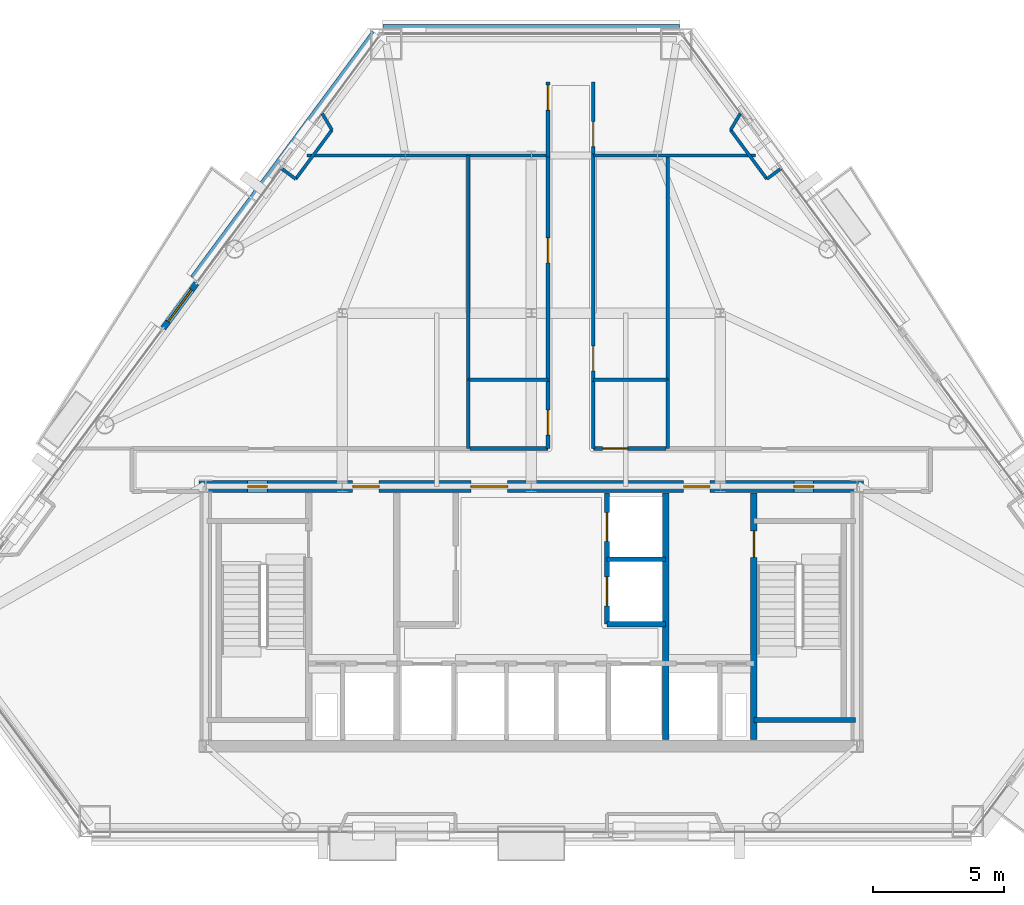
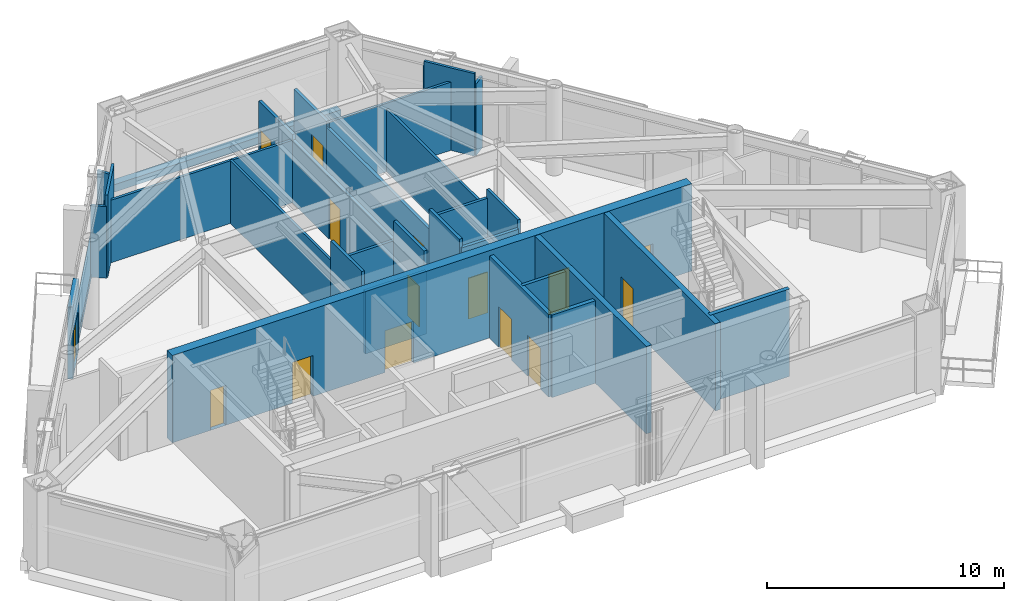
# One storey, part 8 of 11: 32 walls, 15 doors, 15 openings.
"""IFC4 building model written with IfcOpenShell, lengths in metres."""

from ifc_helpers import new_model, si_unit, direction, frame, frame_2d, origin, place, context, subcontext, project, spatial, rectangle, extrude, material, layer, layer_set, type_object, element, fill, save


model = new_model("IFC4")

# Units and contexts
model_context = context("Model", 3, precision=1e-05, world=origin(), true_north=direction((0.0, 1.0)))
body_context = subcontext(model_context, "Body", "Model", "MODEL_VIEW")
ifc_project = project(units=[si_unit("LENGTHUNIT", "METRE"), si_unit("AREAUNIT", "SQUARE_METRE"), si_unit("VOLUMEUNIT", "CUBIC_METRE"), si_unit("PLANEANGLEUNIT", "RADIAN"), si_unit("MASSUNIT", "GRAM", prefix="KILO")], contexts=[model_context])

# Site, building, storey
site_placement = place(None, origin())
site = spatial("IfcSite", under=ifc_project, at=site_placement, CompositionType="ELEMENT")
building_placement = place(site_placement, origin())
building = spatial("IfcBuilding", under=site, at=building_placement, Name="Talgorran Terracotta Tower", CompositionType="ELEMENT")
storey_placement = place(building_placement, frame((0.0, 0.0, 117.60009765625)))
storey = spatial("IfcBuildingStorey", under=building, at=storey_placement, Name="L30", CompositionType="ELEMENT", Elevation=117.60009765625)

# Wall, opening, door
ifc_material_1 = material(Name="Concrete C40/50", Category="concrete")
ifc_layer_1 = layer(ifc_material_1, 0.239990234375, Name="WT_BALCONY_SPAND")
ifc_layer_set_1 = layer_set([ifc_layer_1], Name="Concrete C40/50")
wall_type_1 = type_object("IfcWallType", Name="WT_BALCONY_SPAND", PredefinedType="STANDARD", material=ifc_layer_set_1)
wall_1_placement = place(storey_placement, frame((-12.7509765625, 3.541015625, -0.01513671875), z_axis=(0.0, 0.0, 1.0), x_axis=(-0.594638042479, -0.80399353134, 0.0)))
wall_1 = element("IfcWall", 1, at=wall_1_placement, inside=storey, type_object=wall_type_1, Name="WL-L30-BALP-BAL-NW", PredefinedType="STANDARD", context=body_context, shape_type="SweptSolid", body=[
    extrude(rectangle(XDim=2.139892578125, YDim=0.239990234375, at=frame_2d((1.06982421875, 0.0))), origin(), (0.0, 0.0, 1.0), 3.70703125),
])
opening_1_placement = place(wall_1_placement, frame((0.320068359375, 0.0, 0.014892578125)))
opening_1 = element("IfcOpeningElement", 2, at=opening_1_placement, cuts=wall_1, Name="Opening D-BAL-L30-2", PredefinedType="OPENING", context=body_context, shape_type="SweptSolid", body=[
    extrude(rectangle(XDim=1.506, YDim=2.203951171875, at=frame_2d((0.75, 1.10205078125))), frame((0.0, 0.1298828125, 0.0), z_axis=(0.0, -1.0, 0.0), x_axis=(1.0, 0.0, 0.0)), (0.0, 0.0, 1.0), 0.260009765625),
])
ifc_material_2 = material(Name="Thermally Broken Aluminium", Category="aluminium")
door_type_1 = type_object("IfcDoorType", Name="DT_BALC_1500", OperationType="SLIDING_TO_RIGHT", PredefinedType="DOOR", material=ifc_material_2)
door_1_placement = place(opening_1_placement, origin())
door_1 = element("IfcDoor", 3, at=door_1_placement, inside=storey, type_object=door_type_1, Name="DR-L30-BAL-BAL-NW", OperationType="SLIDING_TO_RIGHT", OverallHeight=2.199951171875, OverallWidth=1.5, PredefinedType="DOOR", context=body_context, shape_type="SweptSolid", body=[
    extrude(rectangle(XDim=1.5, YDim=2.199951171875, at=frame_2d((0.75, 1.10009765625))), frame((0.0, 0.02490234375, 0.0), z_axis=(0.0, -1.0, 0.0), x_axis=(1.0, 0.0, 0.0)), (0.0, 0.0, 1.0), 0.050048828125),
])
fill(opening_1, door_1)

# Wall
ifc_material_3 = material(Name="Concrete C50/60", Category="concrete")
ifc_layer_2 = layer(ifc_material_3, 0.199951171875, Name="WT_CORE_200")
ifc_layer_set_2 = layer_set([ifc_layer_2], Name="Concrete C50/60")
wall_type_2 = type_object("IfcWallType", Name="WT_CORE_200", PredefinedType="SOLIDWALL", material=ifc_layer_set_2)
wall_2_placement = place(storey_placement, frame((8.47998046875, -13.10009765625, 0.0), z_axis=(0.0, 0.0, 1.0), x_axis=(1.0, 0.0, 0.0)))
element("IfcWall", 4, at=wall_2_placement, inside=storey, type_object=wall_type_2, Name="WL-L30-CW-ST2-S", PredefinedType="SOLIDWALL", context=body_context, shape_type="SweptSolid", body=[
    extrude(rectangle(XDim=3.8701171875, YDim=0.199951171875, at=frame_2d((1.93505859375, 0.0))), origin(), (0.0, 0.0, 1.0), 4.5),
])

# Wall, openings, doors
wall_3_placement = place(storey_placement, frame((2.8798828125, -9.449951171875, 0.0), z_axis=(0.0, 0.0, 1.0), x_axis=(0.0, 1.0, 0.0)))
wall_3 = element("IfcWall", 5, at=wall_3_placement, inside=storey, type_object=wall_type_2, Name="WL-L30-CW-V-E3", PredefinedType="SOLIDWALL", context=body_context, shape_type="SweptSolid", body=[
    extrude(rectangle(XDim=5.0, YDim=0.199951171875, at=frame_2d((2.5, 0.0))), origin(), (0.0, 0.0, 1.0), 4.25),
])
opening_2_placement = place(wall_3_placement, frame((0.699951171875, 0.0, 0.0)))
opening_2 = element("IfcOpeningElement", 6, at=opening_2_placement, cuts=wall_3, Name="Opening LD-PLM1", PredefinedType="OPENING", context=body_context, shape_type="SweptSolid", body=[
    extrude(rectangle(XDim=1.10609765625, YDim=2.10409765625, at=frame_2d((0.550048828125, 1.052001953125))), frame((0.0, 0.10986328125, 0.0), z_axis=(0.0, -1.0, 0.0), x_axis=(1.0, 0.0, 0.0)), (0.0, 0.0, 1.0), 0.219970703125),
])
opening_3_placement = place(wall_3_placement, frame((3.14990234375, 0.0, 0.0)))
opening_3 = element("IfcOpeningElement", 7, at=opening_3_placement, cuts=wall_3, Name="Opening LD-PLM2", PredefinedType="OPENING", context=body_context, shape_type="SweptSolid", body=[
    extrude(rectangle(XDim=1.10609765625, YDim=2.10409765625, at=frame_2d((0.550048828125, 1.052001953125))), frame((0.0, 0.10986328125, 0.0), z_axis=(0.0, -1.0, 0.0), x_axis=(1.0, 0.0, 0.0)), (0.0, 0.0, 1.0), 0.219970703125),
])
ifc_material_4 = material(Name="Brushed Stainless Steel Grade 304", Category="steel")
door_type_2 = type_object("IfcDoorType", Name="DT_LIFT_LD1100", OperationType="DOUBLE_DOOR_SLIDING", PredefinedType="DOOR", material=ifc_material_4)
door_2_placement = place(opening_2_placement, origin())
door_2 = element("IfcDoor", 8, at=door_2_placement, inside=storey, type_object=door_type_2, Name="L30 Lift Landing Door LD-PLM1", OperationType="DOUBLE_DOOR_SLIDING", OverallHeight=2.10009765625, OverallWidth=1.10009765625, PredefinedType="DOOR", context=body_context, shape_type="SweptSolid", body=[
    extrude(rectangle(XDim=1.10009765625, YDim=2.10009765625, at=frame_2d((0.550048828125, 1.050048828125))), frame((0.0, 0.02490234375, 0.0), z_axis=(0.0, -1.0, 0.0), x_axis=(1.0, 0.0, 0.0)), (0.0, 0.0, 1.0), 0.050048828125),
])
fill(opening_2, door_2)
door_3_placement = place(opening_3_placement, origin())
door_3 = element("IfcDoor", 9, at=door_3_placement, inside=storey, type_object=door_type_2, Name="L30 Lift Landing Door LD-PLM2", OperationType="DOUBLE_DOOR_SLIDING", OverallHeight=2.10009765625, OverallWidth=1.10009765625, PredefinedType="DOOR", context=body_context, shape_type="SweptSolid", body=[
    extrude(rectangle(XDim=1.10009765625, YDim=2.10009765625, at=frame_2d((0.550048828125, 1.050048828125))), frame((0.0, 0.02490234375, 0.0), z_axis=(0.0, -1.0, 0.0), x_axis=(1.0, 0.0, 0.0)), (0.0, 0.0, 1.0), 0.050048828125),
])
fill(opening_3, door_3)

# Wall
wall_4_placement = place(storey_placement, frame((2.8798828125, -9.449951171875, 0.0), z_axis=(0.0, 0.0, 1.0), x_axis=(1.0, 0.0, 0.0)))
element("IfcWall", 10, at=wall_4_placement, inside=storey, type_object=wall_type_2, Name="WL-L30-CW-H-E4", PredefinedType="SOLIDWALL", context=body_context, shape_type="SweptSolid", body=[
    extrude(rectangle(XDim=2.240234375, YDim=0.199951171875, at=frame_2d((1.1201171875, 0.0))), origin(), (0.0, 0.0, 1.0), 4.25),
])

# Wall, opening, door
ifc_layer_3 = layer(ifc_material_3, 0.25, Name="WT_CORE_250")
ifc_layer_set_3 = layer_set([ifc_layer_3], Name="Concrete C50/60")
wall_type_3 = type_object("IfcWallType", Name="WT_CORE_250", PredefinedType="SHEAR", material=ifc_layer_set_3)
wall_5_placement = place(storey_placement, frame((8.47998046875, -13.85009765625, 0.0), z_axis=(0.0, 0.0, 1.0), x_axis=(0.0, 1.0, 0.0)))
wall_5 = element("IfcWall", 11, at=wall_5_placement, inside=storey, type_object=wall_type_3, Name="WL-L30-CW-V-E1", PredefinedType="SHEAR", context=body_context, shape_type="SweptSolid", body=[
    extrude(rectangle(XDim=9.400146484375, YDim=0.25, at=frame_2d((4.7001953125, 0.0))), origin(), (0.0, 0.0, 1.0), 4.5),
])
opening_4_placement = place(wall_5_placement, frame((6.949951171875, 0.0, 0.0)))
opening_4 = element("IfcOpeningElement", 12, at=opening_4_placement, cuts=wall_5, Name="Opening DR-ST02", PredefinedType="OPENING", context=body_context, shape_type="SweptSolid", body=[
    extrude(rectangle(XDim=1.006, YDim=2.10409765625, at=frame_2d((0.5, 1.052001953125))), frame((0.0, 0.135009765625, 0.0), z_axis=(0.0, -1.0, 0.0), x_axis=(1.0, 0.0, 0.0)), (0.0, 0.0, 1.0), 0.27001953125),
])
ifc_material_5 = material(Name="Fire-Rated Pressed Steel", Category="steel")
door_type_3 = type_object("IfcDoorType", Name="DT_FIRE_1000", OperationType="NOTDEFINED", PredefinedType="DOOR", material=ifc_material_5)
door_4_placement = place(opening_4_placement, origin())
door_4 = element("IfcDoor", 13, at=door_4_placement, inside=storey, type_object=door_type_3, Name="DR-ST02", OperationType="SINGLE_SWING_RIGHT", OverallHeight=2.10009765625, OverallWidth=1.0, PredefinedType="DOOR", context=body_context, shape_type="SweptSolid", body=[
    extrude(rectangle(XDim=1.0, YDim=2.10009765625, at=frame_2d((0.5, 1.050048828125))), frame((0.0, 0.02490234375, 0.0), z_axis=(0.0, -1.0, 0.0), x_axis=(1.0, 0.0, 0.0)), (0.0, 0.0, 1.0), 0.050048828125),
])
fill(opening_4, door_4)

# Wall
wall_6_placement = place(storey_placement, frame((5.1201171875, -13.85009765625, 0.0), z_axis=(0.0, 0.0, 1.0), x_axis=(0.0, 1.0, 0.0)))
element("IfcWall", 14, at=wall_6_placement, inside=storey, type_object=wall_type_3, Name="WL-L30-CW-V-E2", PredefinedType="SHEAR", context=body_context, shape_type="SweptSolid", body=[
    extrude(rectangle(XDim=9.400146484375, YDim=0.25, at=frame_2d((4.7001953125, 0.0))), origin(), (0.0, 0.0, 1.0), 4.5),
])

# Wall, openings, doors
ifc_material_6 = material(Name="Concrete C65/80", Category="concrete")
ifc_layer_4 = layer(ifc_material_6, 0.449951171875, Name="WT_CORE_EXT")
ifc_layer_set_4 = layer_set([ifc_layer_4], Name="Concrete C65/80")
wall_type_4 = type_object("IfcWallType", Name="WT_CORE_EXT", PredefinedType="SHEAR", material=ifc_layer_set_4)
wall_7_placement = place(storey_placement, frame((-12.64990234375, -4.199951171875, 0.0), z_axis=(0.0, 0.0, 1.0), x_axis=(1.0, 0.0, 0.0)))
wall_7 = element("IfcWall", 15, at=wall_7_placement, inside=storey, type_object=wall_type_4, Name="WL-L30-CW-OUT-N", PredefinedType="SHEAR", context=body_context, shape_type="SweptSolid", body=[
    extrude(rectangle(XDim=25.2998046875, YDim=0.449951171875, at=frame_2d((12.64990234375, 0.0))), origin(), (0.0, 0.0, 1.0), 4.5),
])
opening_5_placement = place(wall_7_placement, frame((1.85009765625, 0.0, 0.0)))
opening_5 = element("IfcOpeningElement", 16, at=opening_5_placement, cuts=wall_7, Name="Opening DR-CSN1", PredefinedType="OPENING", context=body_context, shape_type="SweptSolid", body=[
    extrude(rectangle(XDim=0.756, YDim=2.054048828125, at=frame_2d((0.375, 1.027099609375))), frame((0.0, 0.23486328125, 0.0), z_axis=(0.0, -1.0, 0.0), x_axis=(1.0, 0.0, 0.0)), (0.0, 0.0, 1.0), 0.469970703125),
])
opening_6_placement = place(wall_7_placement, frame((22.64990234375, 0.0, 0.0)))
opening_6 = element("IfcOpeningElement", 17, at=opening_6_placement, cuts=wall_7, Name="Opening DR-CSN2", PredefinedType="OPENING", context=body_context, shape_type="SweptSolid", body=[
    extrude(rectangle(XDim=0.756, YDim=2.054048828125, at=frame_2d((0.375, 1.027099609375))), frame((0.0, 0.23486328125, 0.0), z_axis=(0.0, -1.0, 0.0), x_axis=(1.0, 0.0, 0.0)), (0.0, 0.0, 1.0), 0.469970703125),
])
opening_7_placement = place(wall_7_placement, frame((5.85009765625, 0.0, 0.0)))
opening_7 = element("IfcOpeningElement", 18, at=opening_7_placement, cuts=wall_7, Name="Opening DR-FFLW-N", PredefinedType="OPENING", context=body_context, shape_type="SweptSolid", body=[
    extrude(rectangle(XDim=1.006, YDim=2.10409765625, at=frame_2d((0.5, 1.052001953125))), frame((0.0, 0.23486328125, 0.0), z_axis=(0.0, -1.0, 0.0), x_axis=(1.0, 0.0, 0.0)), (0.0, 0.0, 1.0), 0.469970703125),
])
opening_8_placement = place(wall_7_placement, frame((10.35009765625, 0.0, 0.0)))
opening_8 = element("IfcOpeningElement", 19, at=opening_8_placement, cuts=wall_7, Name="Opening DR-PLL-N", PredefinedType="OPENING", context=body_context, shape_type="SweptSolid", body=[
    extrude(rectangle(XDim=1.40590234375, YDim=2.15390234375, at=frame_2d((0.699951171875, 1.076904296875))), frame((0.0, 0.23486328125, 0.0), z_axis=(0.0, -1.0, 0.0), x_axis=(1.0, 0.0, 0.0)), (0.0, 0.0, 1.0), 0.469970703125),
])
opening_9_placement = place(wall_7_placement, frame((18.449951171875, 0.0, 0.0)))
opening_9 = element("IfcOpeningElement", 20, at=opening_9_placement, cuts=wall_7, Name="Opening DR-FFLE-N", PredefinedType="OPENING", context=body_context, shape_type="SweptSolid", body=[
    extrude(rectangle(XDim=1.006, YDim=2.10409765625, at=frame_2d((0.5, 1.052001953125))), frame((0.0, 0.23486328125, 0.0), z_axis=(0.0, -1.0, 0.0), x_axis=(1.0, 0.0, 0.0)), (0.0, 0.0, 1.0), 0.469970703125),
])
ifc_material_7 = material(Name="Acoustic Glazed Timber", Category="wood")
door_type_4 = type_object("IfcDoorType", Name="DT_DOUBLE_1400", OperationType="DOUBLE_DOOR_SINGLE_SWING", PredefinedType="DOOR", material=ifc_material_7)
door_5_placement = place(opening_8_placement, origin())
door_5 = element("IfcDoor", 21, at=door_5_placement, inside=storey, type_object=door_type_4, Name="DR-PLL-N", OperationType="DOUBLE_DOOR_SINGLE_SWING", OverallHeight=2.14990234375, OverallWidth=1.39990234375, PredefinedType="DOOR", context=body_context, shape_type="SweptSolid", body=[
    extrude(rectangle(XDim=1.39990234375, YDim=2.14990234375, at=frame_2d((0.699951171875, 1.074951171875))), frame((0.0, 0.02490234375, 0.0), z_axis=(0.0, -1.0, 0.0), x_axis=(1.0, 0.0, 0.0)), (0.0, 0.0, 1.0), 0.050048828125),
])
fill(opening_8, door_5)
door_6_placement = place(opening_7_placement, origin())
door_6 = element("IfcDoor", 22, at=door_6_placement, inside=storey, type_object=door_type_3, Name="DR-FFLW-N", OperationType="SINGLE_SWING_LEFT", OverallHeight=2.10009765625, OverallWidth=1.0, PredefinedType="DOOR", context=body_context, shape_type="SweptSolid", body=[
    extrude(rectangle(XDim=1.0, YDim=2.10009765625, at=frame_2d((0.5, 1.050048828125))), frame((0.0, 0.02490234375, 0.0), z_axis=(0.0, -1.0, 0.0), x_axis=(1.0, 0.0, 0.0)), (0.0, 0.0, 1.0), 0.050048828125),
])
fill(opening_7, door_6)
door_7_placement = place(opening_9_placement, origin())
door_7 = element("IfcDoor", 23, at=door_7_placement, inside=storey, type_object=door_type_3, Name="DR-FFLE-N", OperationType="SINGLE_SWING_RIGHT", OverallHeight=2.10009765625, OverallWidth=1.0, PredefinedType="DOOR", context=body_context, shape_type="SweptSolid", body=[
    extrude(rectangle(XDim=1.0, YDim=2.10009765625, at=frame_2d((0.5, 1.050048828125))), frame((0.0, 0.02490234375, 0.0), z_axis=(0.0, -1.0, 0.0), x_axis=(1.0, 0.0, 0.0)), (0.0, 0.0, 1.0), 0.050048828125),
])
fill(opening_9, door_7)
door_type_5 = type_object("IfcDoorType", Name="DT_RISER_750", OperationType="NOTDEFINED", PredefinedType="DOOR", material=ifc_material_5)
door_8_placement = place(opening_5_placement, origin())
door_8 = element("IfcDoor", 24, at=door_8_placement, inside=storey, type_object=door_type_5, Name="DR-CSN1", OperationType="SINGLE_SWING_LEFT", OverallHeight=2.050048828125, OverallWidth=0.75, PredefinedType="DOOR", context=body_context, shape_type="SweptSolid", body=[
    extrude(rectangle(XDim=0.75, YDim=2.050048828125, at=frame_2d((0.375, 1.02490234375))), frame((0.0, 0.02490234375, 0.0), z_axis=(0.0, -1.0, 0.0), x_axis=(1.0, 0.0, 0.0)), (0.0, 0.0, 1.0), 0.050048828125),
])
fill(opening_5, door_8)
door_9_placement = place(opening_6_placement, origin())
door_9 = element("IfcDoor", 25, at=door_9_placement, inside=storey, type_object=door_type_5, Name="DR-CSN2", OperationType="SINGLE_SWING_RIGHT", OverallHeight=2.050048828125, OverallWidth=0.75, PredefinedType="DOOR", context=body_context, shape_type="SweptSolid", body=[
    extrude(rectangle(XDim=0.75, YDim=2.050048828125, at=frame_2d((0.375, 1.02490234375))), frame((0.0, 0.02490234375, 0.0), z_axis=(0.0, -1.0, 0.0), x_axis=(1.0, 0.0, 0.0)), (0.0, 0.0, 1.0), 0.050048828125),
])
fill(opening_6, door_9)

# Wall, opening, door
ifc_material_8 = material(Name="Fire-Rated Steel Stud Plasterboard", Category="steel")
ifc_layer_5 = layer(ifc_material_8, 0.14990234375, Name="WT_FIRE_150")
ifc_layer_set_5 = layer_set([ifc_layer_5], Name="Fire-Rated Steel Stud Plasterboard")
wall_type_5 = type_object("IfcWallType", Name="WT_FIRE_150", PredefinedType="PARTITIONING", material=ifc_layer_set_5)
wall_8_placement = place(storey_placement, frame((0.639892578125, -0.199951171875, 0.0), z_axis=(0.0, 0.0, 1.0), x_axis=(0.0, 1.0, 0.0)))
wall_8 = element("IfcWall", 26, at=wall_8_placement, inside=storey, type_object=wall_type_5, Name="WL-L30-W-L30-R10", PredefinedType="PARTITIONING", context=body_context, shape_type="SweptSolid", body=[
    extrude(rectangle(XDim=8.659912109375, YDim=0.14990234375, at=frame_2d((4.330078125, 0.0))), origin(), (0.0, 0.0, 1.0), 3.224853515625),
])
opening_10_placement = place(wall_8_placement, frame((4.51416015625, 0.0, 0.0)))
opening_10 = element("IfcOpeningElement", 27, at=opening_10_placement, cuts=wall_8, Name="Opening DR-L30-R06", PredefinedType="OPENING", context=body_context, shape_type="SweptSolid", body=[
    extrude(rectangle(XDim=0.955951171875, YDim=2.10409765625, at=frame_2d((0.47509765625, 1.052001953125))), frame((0.0, 0.0849609375, 0.0), z_axis=(0.0, -1.0, 0.0), x_axis=(1.0, 0.0, 0.0)), (0.0, 0.0, 1.0), 0.169921875),
])
ifc_material_9 = material(Name="Fire-Rated Timber Core", Category="wood")
door_type_6 = type_object("IfcDoorType", Name="DT_FIRE_950", OperationType="NOTDEFINED", PredefinedType="DOOR", material=ifc_material_9)
door_10_placement = place(opening_10_placement, origin())
door_10 = element("IfcDoor", 28, at=door_10_placement, inside=storey, type_object=door_type_6, Name="DR-L30-R06", OperationType="SINGLE_SWING_RIGHT", OverallHeight=2.10009765625, OverallWidth=0.949951171875, PredefinedType="DOOR", context=body_context, shape_type="SweptSolid", body=[
    extrude(rectangle(XDim=0.949951171875, YDim=2.10009765625, at=frame_2d((0.47509765625, 1.050048828125))), frame((0.0, 0.02490234375, 0.0), z_axis=(0.0, -1.0, 0.0), x_axis=(1.0, 0.0, 0.0)), (0.0, 0.0, 1.0), 0.050048828125),
])
fill(opening_10, door_10)

wall_9_placement = place(storey_placement, frame((2.360107421875, -0.199951171875, 0.0), z_axis=(0.0, 0.0, 1.0), x_axis=(0.0, 1.0, 0.0)))
wall_9 = element("IfcWall", 29, at=wall_9_placement, inside=storey, type_object=wall_type_5, Name="WL-L30-W-L30-R12", PredefinedType="PARTITIONING", context=body_context, shape_type="SweptSolid", body=[
    extrude(rectangle(XDim=8.659912109375, YDim=0.14990234375, at=frame_2d((4.330078125, 0.0))), origin(), (0.0, 0.0, 1.0), 3.224853515625),
])
opening_11_placement = place(wall_9_placement, frame((0.399658203125, 0.0, 0.0)))
opening_11 = element("IfcOpeningElement", 30, at=opening_11_placement, cuts=wall_9, Name="Opening DR-L30-R08", PredefinedType="OPENING", context=body_context, shape_type="SweptSolid", body=[
    extrude(rectangle(XDim=0.955951171875, YDim=2.10409765625, at=frame_2d((0.47509765625, 1.052001953125))), frame((0.0, 0.0849609375, 0.0), z_axis=(0.0, -1.0, 0.0), x_axis=(1.0, 0.0, 0.0)), (0.0, 0.0, 1.0), 0.169921875),
])
door_11_placement = place(opening_11_placement, origin())
door_11 = element("IfcDoor", 31, at=door_11_placement, inside=storey, type_object=door_type_6, Name="DR-L30-R08", OperationType="SINGLE_SWING_RIGHT", OverallHeight=2.10009765625, OverallWidth=0.949951171875, PredefinedType="DOOR", context=body_context, shape_type="SweptSolid", body=[
    extrude(rectangle(XDim=0.949951171875, YDim=2.10009765625, at=frame_2d((0.47509765625, 1.050048828125))), frame((0.0, 0.02490234375, 0.0), z_axis=(0.0, -1.0, 0.0), x_axis=(1.0, 0.0, 0.0)), (0.0, 0.0, 1.0), 0.050048828125),
])
fill(opening_11, door_11)

# Wall
wall_10_placement = place(storey_placement, frame((-2.337890625, -2.760009765625, 0.0), z_axis=(0.0, 0.0, 1.0), x_axis=(1.0, 0.0, 0.0)))
element("IfcWall", 32, at=wall_10_placement, inside=storey, type_object=wall_type_5, Name="WL-L30-W-L30-R07", PredefinedType="PARTITIONING", context=body_context, shape_type="SweptSolid", body=[
    extrude(rectangle(XDim=2.977783203125, YDim=0.14990234375, at=frame_2d((1.48876953125, 0.0))), origin(), (0.0, 0.0, 1.0), 3.224853515625),
])

# Wall, opening, door
wall_11_placement = place(storey_placement, frame((2.360107421875, -2.760009765625, 0.0), z_axis=(0.0, 0.0, 1.0), x_axis=(1.0, 0.0, 0.0)))
wall_11 = element("IfcWall", 33, at=wall_11_placement, inside=storey, type_object=wall_type_5, Name="WL-L30-W-L30-R06", PredefinedType="PARTITIONING", context=body_context, shape_type="SweptSolid", body=[
    extrude(rectangle(XDim=2.77783203125, YDim=0.14990234375, at=frame_2d((1.388916015625, 0.0))), origin(), (0.0, 0.0, 1.0), 3.818603515625),
])
opening_12_placement = place(wall_11_placement, frame((0.358642578125, 0.0, 0.0)))
opening_12 = element("IfcOpeningElement", 34, at=opening_12_placement, cuts=wall_11, Name="Opening DR-L30-R03", PredefinedType="OPENING", context=body_context, shape_type="SweptSolid", body=[
    extrude(rectangle(XDim=0.955951171875, YDim=2.10409765625, at=frame_2d((0.47509765625, 1.052001953125))), frame((0.0, 0.0849609375, 0.0), z_axis=(0.0, -1.0, 0.0), x_axis=(1.0, 0.0, 0.0)), (0.0, 0.0, 1.0), 0.169921875),
])
door_12_placement = place(opening_12_placement, origin())
door_12 = element("IfcDoor", 35, at=door_12_placement, inside=storey, type_object=door_type_6, Name="DR-L30-R03", OperationType="SINGLE_SWING_LEFT", OverallHeight=2.10009765625, OverallWidth=0.949951171875, PredefinedType="DOOR", context=body_context, shape_type="SweptSolid", body=[
    extrude(rectangle(XDim=0.949951171875, YDim=2.10009765625, at=frame_2d((0.47509765625, 1.050048828125))), frame((0.0, 0.02490234375, 0.0), z_axis=(0.0, -1.0, 0.0), x_axis=(1.0, 0.0, 0.0)), (0.0, 0.0, 1.0), 0.050048828125),
])
fill(opening_12, door_12)

wall_12_placement = place(storey_placement, frame((0.639892578125, 8.340087890625, 0.0), z_axis=(0.0, 0.0, 1.0), x_axis=(0.0, 1.0, 0.0)))
wall_12 = element("IfcWall", 36, at=wall_12_placement, inside=storey, type_object=wall_type_5, Name="WL-L30-W-L30-R13", PredefinedType="PARTITIONING", context=body_context, shape_type="SweptSolid", body=[
    extrude(rectangle(XDim=2.85986328125, YDim=0.14990234375, at=frame_2d((1.429931640625, 0.0))), origin(), (0.0, 0.0, 1.0), 3.516845703125),
])
opening_13_placement = place(wall_12_placement, frame((1.7900390625, 0.0, 0.0)))
opening_13 = element("IfcOpeningElement", 37, at=opening_13_placement, cuts=wall_12, Name="Opening DR-L30-R09", PredefinedType="OPENING", context=body_context, shape_type="SweptSolid", body=[
    extrude(rectangle(XDim=0.955951171875, YDim=2.10409765625, at=frame_2d((0.47509765625, 1.052001953125))), frame((0.0, 0.0849609375, 0.0), z_axis=(0.0, -1.0, 0.0), x_axis=(1.0, 0.0, 0.0)), (0.0, 0.0, 1.0), 0.169921875),
])
door_13_placement = place(opening_13_placement, origin())
door_13 = element("IfcDoor", 38, at=door_13_placement, inside=storey, type_object=door_type_6, Name="DR-L30-R09", OperationType="SINGLE_SWING_LEFT", OverallHeight=2.10009765625, OverallWidth=0.949951171875, PredefinedType="DOOR", context=body_context, shape_type="SweptSolid", body=[
    extrude(rectangle(XDim=0.949951171875, YDim=2.10009765625, at=frame_2d((0.47509765625, 1.050048828125))), frame((0.0, 0.02490234375, 0.0), z_axis=(0.0, -1.0, 0.0), x_axis=(1.0, 0.0, 0.0)), (0.0, 0.0, 1.0), 0.050048828125),
])
fill(opening_13, door_13)

wall_13_placement = place(storey_placement, frame((2.360107421875, 8.4619140625, 0.0), z_axis=(0.0, 0.0, 1.0), x_axis=(0.0, 1.0, 0.0)))
wall_13 = element("IfcWall", 39, at=wall_13_placement, inside=storey, type_object=wall_type_5, Name="WL-L30-W-L30-R14", PredefinedType="PARTITIONING", context=body_context, shape_type="SweptSolid", body=[
    extrude(rectangle(XDim=2.738037109375, YDim=0.14990234375, at=frame_2d((1.369140625, 0.0))), origin(), (0.0, 0.0, 1.0), 3.516845703125),
])
opening_14_placement = place(wall_13_placement, frame((0.2763671875, 0.0, 0.0)))
opening_14 = element("IfcOpeningElement", 40, at=opening_14_placement, cuts=wall_13, Name="Opening DR-L30-R10", PredefinedType="OPENING", context=body_context, shape_type="SweptSolid", body=[
    extrude(rectangle(XDim=0.955951171875, YDim=2.10409765625, at=frame_2d((0.47509765625, 1.052001953125))), frame((0.0, 0.0849609375, 0.0), z_axis=(0.0, -1.0, 0.0), x_axis=(1.0, 0.0, 0.0)), (0.0, 0.0, 1.0), 0.169921875),
])
door_14_placement = place(opening_14_placement, origin())
door_14 = element("IfcDoor", 41, at=door_14_placement, inside=storey, type_object=door_type_6, Name="DR-L30-R10", OperationType="SINGLE_SWING_RIGHT", OverallHeight=2.10009765625, OverallWidth=0.949951171875, PredefinedType="DOOR", context=body_context, shape_type="SweptSolid", body=[
    extrude(rectangle(XDim=0.949951171875, YDim=2.10009765625, at=frame_2d((0.47509765625, 1.050048828125))), frame((0.0, 0.02490234375, 0.0), z_axis=(0.0, -1.0, 0.0), x_axis=(1.0, 0.0, 0.0)), (0.0, 0.0, 1.0), 0.050048828125),
])
fill(opening_14, door_14)

# Wall
wall_14_placement = place(storey_placement, frame((2.360107421875, -2.760009765625, 0.0), z_axis=(0.0, 0.0, 1.0), x_axis=(0.0, 1.0, 0.0)))
element("IfcWall", 42, at=wall_14_placement, inside=storey, type_object=wall_type_5, Name="WL-L30-W-L30-R05", PredefinedType="PARTITIONING", context=body_context, shape_type="SweptSolid", body=[
    extrude(rectangle(XDim=2.55810546875, YDim=0.14990234375, at=frame_2d((1.279052734375, 0.0))), origin(), (0.0, 0.0, 1.0), 4.25),
])

# Wall, opening, door
wall_15_placement = place(storey_placement, frame((0.639892578125, -2.760009765625, 0.0), z_axis=(0.0, 0.0, 1.0), x_axis=(0.0, 1.0, 0.0)))
wall_15 = element("IfcWall", 43, at=wall_15_placement, inside=storey, type_object=wall_type_5, Name="WL-L30-W-L30-R08", PredefinedType="PARTITIONING", context=body_context, shape_type="SweptSolid", body=[
    extrude(rectangle(XDim=2.55810546875, YDim=0.14990234375, at=frame_2d((1.279052734375, 0.0))), origin(), (0.0, 0.0, 1.0), 4.25),
])
opening_15_placement = place(wall_15_placement, frame((0.51220703125, 0.0, 0.0)))
opening_15 = element("IfcOpeningElement", 44, at=opening_15_placement, cuts=wall_15, Name="Opening DR-L30-R04", PredefinedType="OPENING", context=body_context, shape_type="SweptSolid", body=[
    extrude(rectangle(XDim=0.955951171875, YDim=2.10409765625, at=frame_2d((0.47509765625, 1.052001953125))), frame((0.0, 0.0849609375, 0.0), z_axis=(0.0, -1.0, 0.0), x_axis=(1.0, 0.0, 0.0)), (0.0, 0.0, 1.0), 0.169921875),
])
door_15_placement = place(opening_15_placement, origin())
door_15 = element("IfcDoor", 45, at=door_15_placement, inside=storey, type_object=door_type_6, Name="DR-L30-R04", OperationType="SINGLE_SWING_RIGHT", OverallHeight=2.10009765625, OverallWidth=0.949951171875, PredefinedType="DOOR", context=body_context, shape_type="SweptSolid", body=[
    extrude(rectangle(XDim=0.949951171875, YDim=2.10009765625, at=frame_2d((0.47509765625, 1.050048828125))), frame((0.0, 0.02490234375, 0.0), z_axis=(0.0, -1.0, 0.0), x_axis=(1.0, 0.0, 0.0)), (0.0, 0.0, 1.0), 0.050048828125),
])
fill(opening_15, door_15)

# Walls
ifc_layer_6 = layer(ifc_material_1, 0.219970703125, Name="WT_PARAPET_RC")
ifc_layer_set_6 = layer_set([ifc_layer_6], Name="Concrete C40/50")
wall_type_6 = type_object("IfcWallType", Name="WT_PARAPET_RC", PredefinedType="PARAPET", material=ifc_layer_set_6)
wall_16_placement = place(storey_placement, frame((5.644287109375, 13.201904296875, -0.2001953125), z_axis=(0.0, 0.0, 1.0), x_axis=(-1.0, 0.0, 0.0)))
element("IfcWall", 46, at=wall_16_placement, inside=storey, type_object=wall_type_6, Name="L30 Striped Portal Precast Cornice F4", PredefinedType="PARAPET", context=body_context, shape_type="SweptSolid", body=[
    extrude(rectangle(XDim=11.28857421875, YDim=0.360107421875, at=frame_2d((5.644287109375, 0.0))), origin(), (0.0, 0.0, 1.0), 0.380126953125),
])
wall_17_placement = place(storey_placement, frame((-5.92431640625, 13.04052734375, -0.2001953125), z_axis=(0.0, 0.0, 1.0), x_axis=(-0.594628785206, -0.804000377988, 0.0)))
element("IfcWall", 47, at=wall_17_placement, inside=storey, type_object=wall_type_6, Name="L30 Striped Portal Precast Cornice F60", PredefinedType="PARAPET", context=body_context, shape_type="SweptSolid", body=[
    extrude(rectangle(XDim=11.60693359375, YDim=0.360107421875, at=frame_2d((5.803466796875, 0.0))), origin(), (0.0, 0.0, 1.0), 0.380126953125),
])
ifc_material_10 = material(Name="Insulated Steel Stud Plasterboard", Category="steel")
ifc_layer_7 = layer(ifc_material_10, 0.1201171875, Name="WT_PART_120")
ifc_layer_set_7 = layer_set([ifc_layer_7], Name="Insulated Steel Stud Plasterboard")
wall_type_7 = type_object("IfcWallType", Name="WT_PART_120", PredefinedType="PARTITIONING", material=ifc_layer_set_7)
for number, where, z_axis, x_axis, name in (
    (48, (-2.39990234375, -0.199951171875, 0.0), (0.0, 0.0, 1.0), (0.0, 1.0, 0.0), "WL-L30-W-L30-R21"),
    (49, (5.199951171875, -0.199951171875, 0.0), (0.0, 0.0, 1.0), (0.0, 1.0, 0.0), "WL-L30-W-L30-R24"),
):
    element("IfcWall", number, at=place(storey_placement, frame(where, z_axis=z_axis, x_axis=x_axis)), inside=storey, type_object=wall_type_7, Name=name, PredefinedType="PARTITIONING", context=body_context, shape_type="SweptSolid", body=[
        extrude(rectangle(XDim=8.599853515625, YDim=0.1201171875, at=frame_2d((4.2998046875, 0.0))), origin(), (0.0, 0.0, 1.0), 3.224853515625),
    ])
wall_18_placement = place(storey_placement, frame((-8.5400390625, 8.39990234375, 0.0), z_axis=(0.0, 0.0, 1.0), x_axis=(1.0, 0.0, 0.0)))
element("IfcWall", 50, at=wall_18_placement, inside=storey, type_object=wall_type_7, Name="WL-L30-W-L30-R22", PredefinedType="PARTITIONING", context=body_context, shape_type="SweptSolid", body=[
    extrude(rectangle(XDim=9.179931640625, YDim=0.1201171875, at=frame_2d((4.58984375, 0.0))), origin(), (0.0, 0.0, 1.0), 3.224853515625),
])
wall_19_placement = place(storey_placement, frame((2.360107421875, 8.39990234375, 0.0), z_axis=(0.0, 0.0, 1.0), x_axis=(1.0, 0.0, 0.0)))
element("IfcWall", 51, at=wall_19_placement, inside=storey, type_object=wall_type_7, Name="WL-L30-W-L30-R25", PredefinedType="PARTITIONING", context=body_context, shape_type="SweptSolid", body=[
    extrude(rectangle(XDim=6.179931640625, YDim=0.1201171875, at=frame_2d((3.08984375, 0.0))), origin(), (0.0, 0.0, 1.0), 3.516845703125),
])
for number, where, z_axis, x_axis, name in (
    (52, (-7.59130859375, 9.373779296875, 0.0), (0.0, 0.0, 1.0), (-0.594639257158, -0.803992632955, 0.0), "WL-L30-BW-L30-14"),
    (53, (8.97265625, 7.506103515625, 0.0), (0.0, 0.0, 1.0), (-0.594639257158, 0.803992632955, 0.0), "WL-L30-BW-L30-17"),
):
    element("IfcWall", number, at=place(storey_placement, frame(where, z_axis=z_axis, x_axis=x_axis)), inside=storey, type_object=wall_type_7, Name=name, PredefinedType="PARTITIONING", context=body_context, shape_type="SweptSolid", body=[
        extrude(rectangle(XDim=2.322998046875, YDim=0.1201171875, at=frame_2d((1.16162109375, 0.0))), origin(), (0.0, 0.0, 1.0), 4.25),
    ])
for number, where, z_axis, x_axis, name in (
    (54, (-7.962646484375, 9.99853515625, 0.0), (0.0, 0.0, 1.0), (0.510934527976, -0.859619629908, 0.0), "WL-L30-BW-L30-13"),
    (55, (7.59130859375, 9.373779296875, 0.0), (0.0, 0.0, 1.0), (0.510934527976, 0.859619629908, 0.0), "WL-L30-BW-L30-18"),
):
    element("IfcWall", number, at=place(storey_placement, frame(where, z_axis=z_axis, x_axis=x_axis)), inside=storey, type_object=wall_type_7, Name=name, PredefinedType="PARTITIONING", context=body_context, shape_type="SweptSolid", body=[
        extrude(rectangle(XDim=0.726806640625, YDim=0.1201171875, at=frame_2d((0.36328125, 0.0))), origin(), (0.0, 0.0, 1.0), 3.69189453125),
    ])
for number, where, z_axis, x_axis, name in (
    (56, (-8.97265625, 7.506103515625, 0.0), (0.0, 0.0, 1.0), (-0.804221577226, 0.594329584257, 0.0), "WL-L30-BW-L30-15"),
    (57, (9.511474609375, 7.904296875, 0.0), (0.0, 0.0, 1.0), (-0.804221577226, -0.594329584257, 0.0), "WL-L30-BW-L30-16"),
):
    element("IfcWall", number, at=place(storey_placement, frame(where, z_axis=z_axis, x_axis=x_axis)), inside=storey, type_object=wall_type_7, Name=name, PredefinedType="PARTITIONING", context=body_context, shape_type="SweptSolid", body=[
        extrude(rectangle(XDim=0.669921875, YDim=0.1201171875, at=frame_2d((0.3349609375, 0.0))), origin(), (0.0, 0.0, 1.0), 3.69189453125),
    ])
ifc_material_11 = material(Name="Moisture-Resistant Stud Wall")
ifc_layer_8 = layer(ifc_material_11, 0.135009765625, Name="WT_PART_135")
ifc_layer_set_8 = layer_set([ifc_layer_8], Name="Moisture-Resistant Stud Wall")
wall_type_8 = type_object("IfcWallType", Name="WT_PART_135", PredefinedType="PARTITIONING", material=ifc_layer_set_8)
wall_20_placement = place(storey_placement, frame((-2.39990234375, -0.139892578125, 0.0), z_axis=(0.0, 0.0, 1.0), x_axis=(1.0, 0.0, 0.0)))
element("IfcWall", 58, at=wall_20_placement, inside=storey, type_object=wall_type_8, Name="WL-L30-W-L30-R20", PredefinedType="PARTITIONING", context=body_context, shape_type="SweptSolid", body=[
    extrude(rectangle(XDim=3.039794921875, YDim=0.135009765625, at=frame_2d((1.52001953125, 0.0))), origin(), (0.0, 0.0, 1.0), 3.224853515625),
])
wall_21_placement = place(storey_placement, frame((2.360107421875, -0.139892578125, 0.0), z_axis=(0.0, 0.0, 1.0), x_axis=(1.0, 0.0, 0.0)))
element("IfcWall", 59, at=wall_21_placement, inside=storey, type_object=wall_type_8, Name="WL-L30-W-L30-R18", PredefinedType="PARTITIONING", context=body_context, shape_type="SweptSolid", body=[
    extrude(rectangle(XDim=2.83984375, YDim=0.135009765625, at=frame_2d((1.419921875, 0.0))), origin(), (0.0, 0.0, 1.0), 3.818603515625),
])
for number, where, z_axis, x_axis, name in (
    (60, (5.199951171875, -2.760009765625, 0.0), (0.0, 0.0, 1.0), (0.0, 1.0, 0.0), "WL-L30-W-L30-R17"),
    (61, (-2.39990234375, -2.760009765625, 0.0), (0.0, 0.0, 1.0), (0.0, 1.0, 0.0), "WL-L30-W-L30-R19"),
):
    element("IfcWall", number, at=place(storey_placement, frame(where, z_axis=z_axis, x_axis=x_axis)), inside=storey, type_object=wall_type_8, Name=name, PredefinedType="PARTITIONING", context=body_context, shape_type="SweptSolid", body=[
        extrude(rectangle(XDim=2.6201171875, YDim=0.135009765625, at=frame_2d((1.31005859375, 0.0))), origin(), (0.0, 0.0, 1.0), 4.25),
    ])
ifc_material_12 = material(Name="Fire-Rated Shaftwall")
ifc_layer_9 = layer(ifc_material_12, 0.159912109375, Name="WT_PART_150")
ifc_layer_set_9 = layer_set([ifc_layer_9], Name="Fire-Rated Shaftwall")
wall_type_9 = type_object("IfcWallType", Name="WT_PART_150", PredefinedType="PARTITIONING", material=ifc_layer_set_9)
wall_22_placement = place(storey_placement, frame((2.8798828125, -6.97998046875, 0.0), z_axis=(0.0, 0.0, 1.0), x_axis=(1.0, 0.0, 0.0)))
element("IfcWall", 62, at=wall_22_placement, inside=storey, type_object=wall_type_9, Name="WL-L30-CW-PLM-DIV", PredefinedType="PARTITIONING", context=body_context, shape_type="SweptSolid", body=[
    extrude(rectangle(XDim=2.240234375, YDim=0.159912109375, at=frame_2d((1.1201171875, 0.0))), origin(), (0.0, 0.0, 1.0), 4.25),
])

save(model, "model.ifc")
